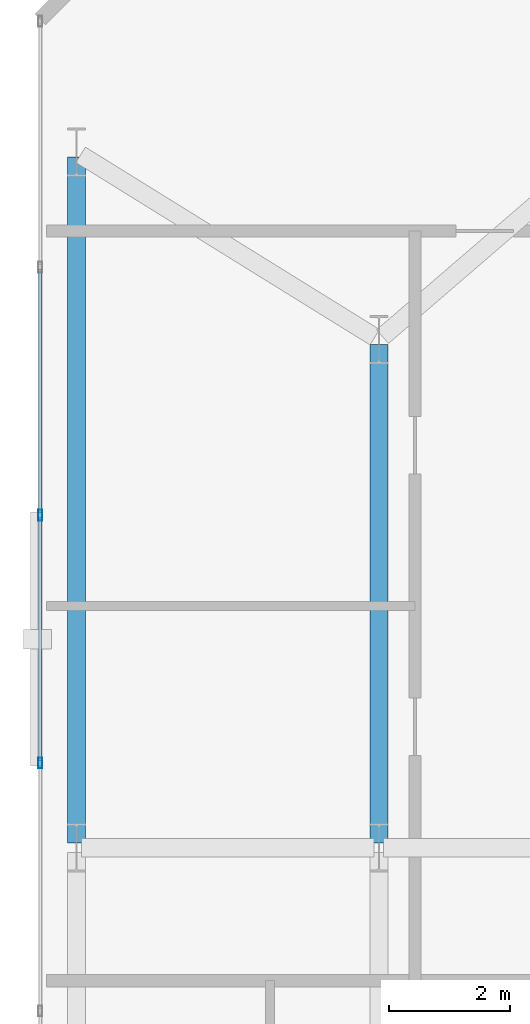
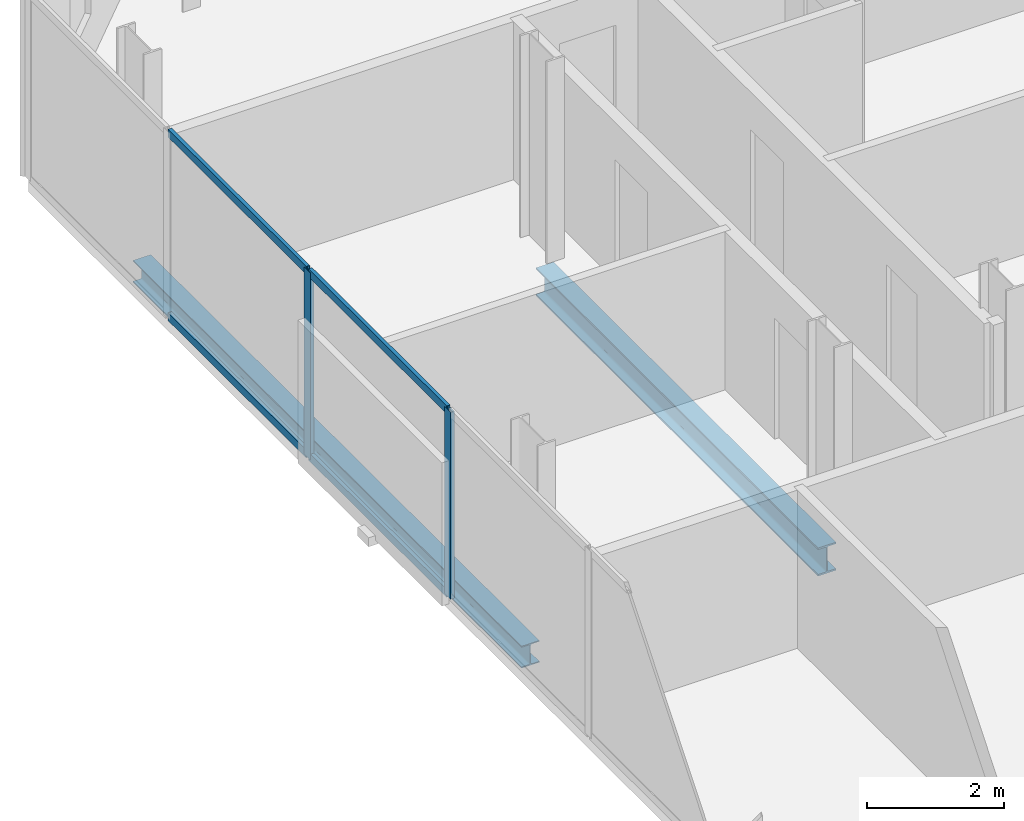
# One storey, part 18 of 33: 6 members, 2 beams, 1 element without a shape of its own.
"""IFC4 building model written with IfcOpenShell, lengths in metres."""

from ifc_helpers import new_model, si_unit, direction, frame, origin, origin_2d, place, context, subcontext, project, spatial, hollow_rectangle, i_section, extrude, material, layer, layer_set, material_profile, profile_set, type_object, element, aggregate, save


model = new_model("IFC4")

# Units and contexts
model_context = context("Model", 3, precision=1e-05, world=origin(), true_north=direction((0.0, 1.0)))
body_context = subcontext(model_context, "Body", "Model", "MODEL_VIEW")
ifc_project = project(units=[si_unit("LENGTHUNIT", "METRE"), si_unit("AREAUNIT", "SQUARE_METRE"), si_unit("VOLUMEUNIT", "CUBIC_METRE"), si_unit("PLANEANGLEUNIT", "RADIAN"), si_unit("MASSUNIT", "GRAM", prefix="KILO")], contexts=[model_context])

# Site, building, storey
site_placement = place(None, origin())
site = spatial("IfcSite", under=ifc_project, at=site_placement, CompositionType="ELEMENT")
building_placement = place(site_placement, origin())
building = spatial("IfcBuilding", under=site, at=building_placement, Name="Catumbela Crestline Tower", CompositionType="ELEMENT")
storey_placement = place(building_placement, frame((0.0, 0.0, 51.0)))
storey = spatial("IfcBuildingStorey", under=building, at=storey_placement, Name="L12", CompositionType="ELEMENT", Elevation=51.0)

# Beam
ifc_material_1 = material(Name="Structural steel S355J2", Category="steel")
ifc_material_profile_1 = material_profile(ifc_material_1, i_section(OverallWidth=0.3, OverallDepth=0.5, WebThickness=0.0145, FlangeThickness=0.028, FilletRadius=0.027, at=origin_2d()), Name="HEB 500")
ifc_profile_set_1 = profile_set([ifc_material_profile_1], Name="Structural steel S355J2")
beam_type_1 = type_object("IfcBeamType", Name="BG-HEB500", PredefinedType="BEAM", material=ifc_profile_set_1)
beam_1_placement = place(storey_placement, frame((5.6, 30.88, -0.51), z_axis=(0.0, 1.0, 0.0), x_axis=(-1.0, 0.0, 0.0)))
element("IfcBeam", 1, at=beam_1_placement, inside=storey, type_object=beam_type_1, Name="L12 Beam BM-L12-SN28", PredefinedType="BEAM", context=body_context, shape_type="SweptSolid", body=[
    extrude(i_section(OverallWidth=0.3, OverallDepth=0.5, WebThickness=0.0145, FlangeThickness=0.028, FilletRadius=0.027, at=origin_2d()), origin(), (0.0, 0.0, 1.0), 8.24),
])

# Curtain wall, members
ifc_material_2 = material(Name="Aluminium alloy AW-6060-T66", Category="aluminium")
ifc_layer = layer(ifc_material_2, 0.18, Name="Aluminium alloy AW-6060-T66")
ifc_layer_set = layer_set([ifc_layer], Name="Aluminium alloy AW-6060-T66")
curtain_wall_type = type_object("IfcCurtainWallType", Name="CWU-Z1", PredefinedType="USERDEFINED", material=ifc_layer_set)
curtain_wall_placement = place(storey_placement, origin())
curtain_wall = element("IfcCurtainWall", 2, at=curtain_wall_placement, inside=storey, type_object=curtain_wall_type, Name="L12 Unitised Curtain Wall CW-L12-E9S1", ObjectType="UNITISED", PredefinedType="USERDEFINED")
ifc_material_profile_2 = material_profile(ifc_material_2, hollow_rectangle(XDim=0.065, YDim=0.18, WallThickness=0.004, at=origin_2d()), Name="ALU 180x65x4")
ifc_profile_set_2 = profile_set([ifc_material_profile_2], Name="Aluminium alloy AW-6060-T66")
member_type_1 = type_object("IfcMemberType", Name="MUL-180X65", PredefinedType="MULLION", material=ifc_profile_set_2)
member_1_placement = place(storey_placement, frame((0.0, 36.3, 0.0), z_axis=(0.0, 0.0, 1.0), x_axis=(1.0, 0.0, 0.0)))
member_1 = element("IfcMember", 3, at=member_1_placement, type_object=member_type_1, Name="CWU-Z1 mullion 3", PredefinedType="MULLION", context=body_context, shape_type="SweptSolid", body=[
    extrude(hollow_rectangle(XDim=0.065, YDim=0.18, WallThickness=0.004, at=origin_2d()), origin(), (0.0, 0.0, 1.0), 3.33),
])
member_2_placement = place(storey_placement, frame((0.0, 32.2, 0.0), z_axis=(0.0, 0.0, 1.0), x_axis=(1.0, 0.0, 0.0)))
member_2 = element("IfcMember", 4, at=member_2_placement, type_object=member_type_1, Name="CWU-Z1 mullion 4", PredefinedType="MULLION", context=body_context, shape_type="SweptSolid", body=[
    extrude(hollow_rectangle(XDim=0.065, YDim=0.18, WallThickness=0.004, at=origin_2d()), origin(), (0.0, 0.0, 1.0), 3.33),
])

# Beam
ifc_material_profile_3 = material_profile(ifc_material_1, i_section(OverallWidth=0.3, OverallDepth=0.39, WebThickness=0.011, FlangeThickness=0.019, FilletRadius=0.027, at=origin_2d()), Name="HEA 400")
ifc_profile_set_3 = profile_set([ifc_material_profile_3], Name="Structural steel S355J2")
beam_type_2 = type_object("IfcBeamType", Name="BS-HEA400", PredefinedType="SPANDREL", material=ifc_profile_set_3)
beam_2_placement = place(storey_placement, frame((0.6, 30.88, -0.455), z_axis=(0.0, 1.0, 0.0), x_axis=(-1.0, 0.0, 0.0)))
element("IfcBeam", 5, at=beam_2_placement, inside=storey, type_object=beam_type_2, Name="L12 Spandrel SP-L12-SN26", PredefinedType="SPANDREL", context=body_context, shape_type="SweptSolid", body=[
    extrude(i_section(OverallWidth=0.3, OverallDepth=0.39, WebThickness=0.011, FlangeThickness=0.019, FilletRadius=0.027, at=origin_2d()), origin(), (0.0, 0.0, 1.0), 11.34),
])

# Member
ifc_material_profile_4 = material_profile(ifc_material_2, hollow_rectangle(XDim=0.06, YDim=0.14, WallThickness=0.004, at=origin_2d()), Name="ALU 140x60x4")
ifc_profile_set_4 = profile_set([ifc_material_profile_4], Name="Aluminium alloy AW-6060-T66")
member_type_2 = type_object("IfcMemberType", Name="TRN-140X60", PredefinedType="USERDEFINED", material=ifc_profile_set_4)
member_3_placement = place(storey_placement, frame((0.0, 40.3675, 0.03), z_axis=(0.0, -1.0, 0.0), x_axis=(1.0, 0.0, 0.0)))
member_3 = element("IfcMember", 6, at=member_3_placement, type_object=member_type_2, Name="CWU-Z1 transom 2.1", ObjectType="TRANSOM", PredefinedType="USERDEFINED", context=body_context, shape_type="SweptSolid", body=[
    extrude(hollow_rectangle(XDim=0.06, YDim=0.14, WallThickness=0.004, at=origin_2d()), origin(), (0.0, 0.0, 1.0), 4.035),
])

member_4_placement = place(storey_placement, frame((0.0, 40.3675, 3.3), z_axis=(0.0, -1.0, 0.0), x_axis=(1.0, 0.0, 0.0)))
member_4 = element("IfcMember", 7, at=member_4_placement, type_object=member_type_2, Name="CWU-Z1 transom 2.2", ObjectType="TRANSOM", PredefinedType="USERDEFINED", context=body_context, shape_type="SweptSolid", body=[
    extrude(hollow_rectangle(XDim=0.06, YDim=0.14, WallThickness=0.004, at=origin_2d()), origin(), (0.0, 0.0, 1.0), 4.035),
])

member_5_placement = place(storey_placement, frame((0.0, 36.2675, 0.03), z_axis=(0.0, -1.0, 0.0), x_axis=(1.0, 0.0, 0.0)))
member_5 = element("IfcMember", 8, at=member_5_placement, type_object=member_type_2, Name="CWU-Z1 transom 3.1", ObjectType="TRANSOM", PredefinedType="USERDEFINED", context=body_context, shape_type="SweptSolid", body=[
    extrude(hollow_rectangle(XDim=0.06, YDim=0.14, WallThickness=0.004, at=origin_2d()), origin(), (0.0, 0.0, 1.0), 4.035),
])

member_6_placement = place(storey_placement, frame((0.0, 36.2675, 3.3), z_axis=(0.0, -1.0, 0.0), x_axis=(1.0, 0.0, 0.0)))
member_6 = element("IfcMember", 9, at=member_6_placement, type_object=member_type_2, Name="CWU-Z1 transom 3.2", ObjectType="TRANSOM", PredefinedType="USERDEFINED", context=body_context, shape_type="SweptSolid", body=[
    extrude(hollow_rectangle(XDim=0.06, YDim=0.14, WallThickness=0.004, at=origin_2d()), origin(), (0.0, 0.0, 1.0), 4.035),
])

aggregate(curtain_wall, [member_1, member_2, member_3, member_4, member_5, member_6])

save(model, "model.ifc")
